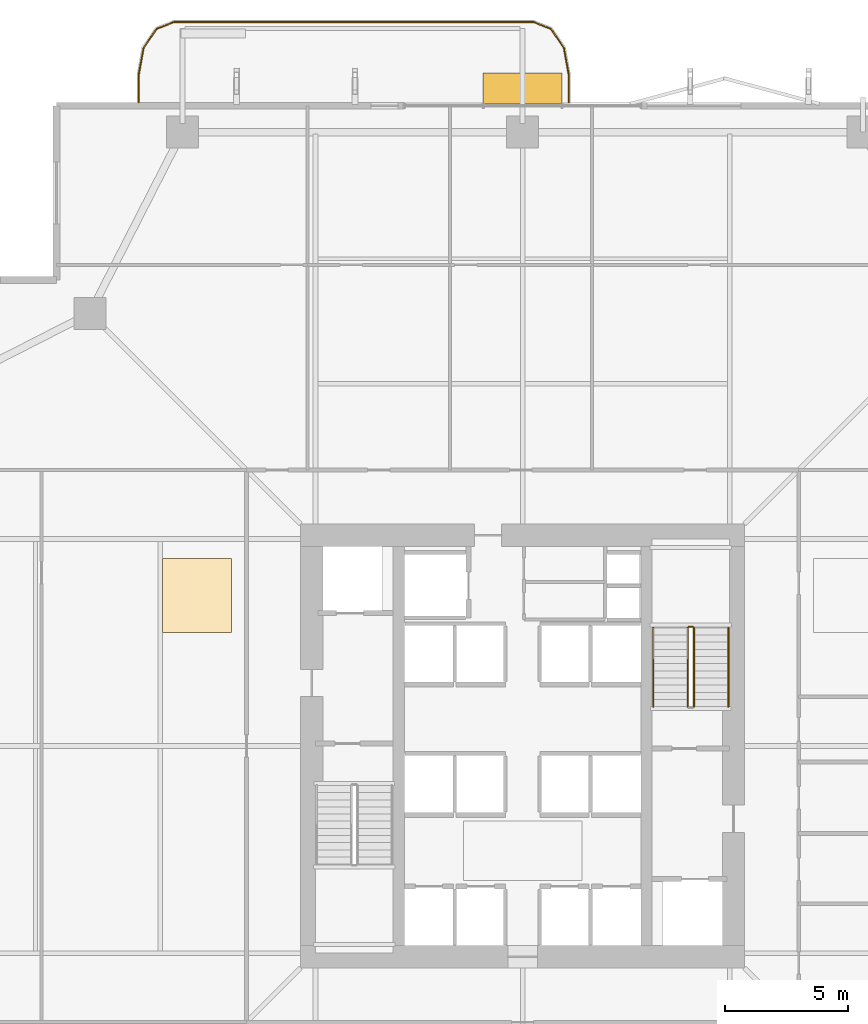
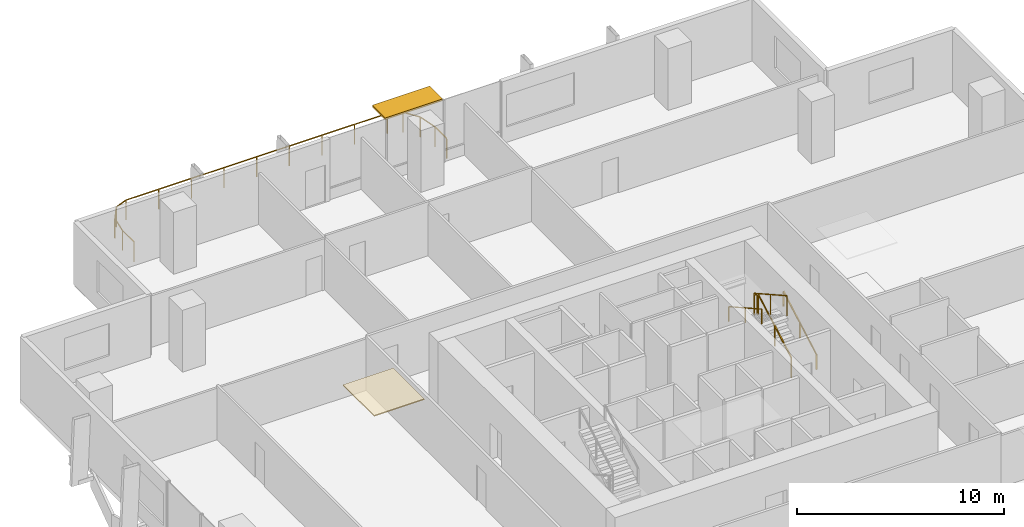
# One storey, part 23 of 24: 6 railings, 1 covering, 1 shading device.
"""IFC4 building model written with IfcOpenShell, lengths in metres."""

from ifc_helpers import new_model, si_unit, direction, frame, origin, origin_2d, place, context, subcontext, project, spatial, polyline, rectangle, outline, extrude, material, layer, layer_set, type_object, element, save


model = new_model("IFC4")

# Units and contexts
model_context = context("Model", 3, precision=1e-05, world=origin(), true_north=direction((0.0, 1.0)))
body_context = subcontext(model_context, "Body", "Model", "MODEL_VIEW")
ifc_project = project(units=[si_unit("LENGTHUNIT", "METRE"), si_unit("AREAUNIT", "SQUARE_METRE"), si_unit("VOLUMEUNIT", "CUBIC_METRE"), si_unit("PLANEANGLEUNIT", "RADIAN"), si_unit("MASSUNIT", "GRAM", prefix="KILO")], contexts=[model_context])

# Site, building, storey
site_placement = place(None, origin())
site = spatial("IfcSite", under=ifc_project, at=site_placement, CompositionType="ELEMENT")
building_placement = place(site_placement, origin())
building = spatial("IfcBuilding", under=site, at=building_placement, Name="Belovzor Exchange Tower", CompositionType="ELEMENT")
storey_placement = place(building_placement, frame((0.0, 0.0, 117.300048828125)))
storey = spatial("IfcBuildingStorey", under=building, at=storey_placement, Name="L28", CompositionType="ELEMENT", Elevation=117.300048828125)

# Railings
ifc_material_1 = material(Name="Stainless Steel Grade 304", Category="steel")
railing_type_1 = type_object("IfcRailingType", Name="Brushed Stainless Steel Stair Handrail 900", PredefinedType="HANDRAIL", material=ifc_material_1)
railing_1_placement = place(storey_placement, frame((37.14990234375, 30.39990234375, 0.162353515625)))
element("IfcRailing", 1, at=railing_1_placement, inside=storey, type_object=railing_type_1, Name="L28 ST-2 stair handrail 1", PredefinedType="HANDRAIL", context=body_context, shape_type="SweptSolid", body=[
    extrude(rectangle(XDim=0.048095703125, YDim=0.048095703125, at=origin_2d()), frame((0.0, 0.0, 0.8759765625), z_axis=(0.0, 0.87237847985, 0.488831042279), x_axis=(-1.0, 0.0, 0.0)), (0.0, 0.0, 1.0), 3.656982421875),
    extrude(rectangle(XDim=0.0419921875, YDim=0.0419921875, at=origin_2d()), origin(), (0.0, 0.0, 1.0), 0.851806640625),
    extrude(rectangle(XDim=0.0419921875, YDim=0.0419921875, at=origin_2d()), frame((0.0, 1.59521484375, 0.893798828125)), (0.0, 0.0, 1.0), 0.851806640625),
    extrude(rectangle(XDim=0.0419921875, YDim=0.0419921875, at=origin_2d()), frame((0.0, 3.190185546875, 1.78759765625)), (0.0, 0.0, 1.0), 0.851806640625),
])
railing_2_placement = place(storey_placement, frame((34.10009765625, 33.590087890625, 2.112548828125)))
element("IfcRailing", 2, at=railing_2_placement, inside=storey, type_object=railing_type_1, Name="L28 ST-2 stair handrail 2", PredefinedType="HANDRAIL", context=body_context, shape_type="SweptSolid", body=[
    extrude(rectangle(XDim=0.048095703125, YDim=0.048095703125, at=origin_2d()), frame((0.0, 0.0, 0.8759765625), z_axis=(0.0, -0.872406949647, 0.488780230991), x_axis=(1.0, 0.0, 0.0)), (0.0, 0.0, 1.0), 3.65673828125),
    extrude(rectangle(XDim=0.0419921875, YDim=0.0419921875, at=origin_2d()), origin(), (0.0, 0.0, 1.0), 0.851806640625),
    extrude(rectangle(XDim=0.0419921875, YDim=0.0419921875, at=origin_2d()), frame((0.0, -1.59521484375, 0.8935546875)), (0.0, 0.0, 1.0), 0.851806640625),
    extrude(rectangle(XDim=0.0419921875, YDim=0.0419921875, at=origin_2d()), frame((0.0, -3.190185546875, 1.787353515625)), (0.0, 0.0, 1.0), 0.851806640625),
])
ifc_material_2 = material(Name="Stainless Steel and Laminated Safety Glass", Category="steel")
railing_type_2 = type_object("IfcRailingType", Name="Laminated Glass & Stainless Steel Balcony Balustrade 1200", PredefinedType="BALUSTRADE", material=ifc_material_2)
railing_3_placement = place(storey_placement, frame((30.669921875, 54.909912109375, 0.0)))
element("IfcRailing", 3, at=railing_3_placement, inside=storey, type_object=railing_type_2, Name="GR-1 Balcony Balustrade L28 North", PredefinedType="BALUSTRADE", context=body_context, shape_type="SweptSolid", body=[
    extrude(rectangle(XDim=0.048095703125, YDim=0.048095703125, at=origin_2d()), frame((0.0, 0.0, 1.17578125), z_axis=(0.0, 1.0, 0.0), x_axis=(-1.0, 0.0, 0.0)), (0.0, 0.0, 1.0), 1.133056640625),
    extrude(rectangle(XDim=0.048095703125, YDim=0.048095703125, at=origin_2d()), frame((0.0, 1.133056640625, 1.17578125), z_axis=(-0.180122719713, 0.983644145941, 0.0), x_axis=(-0.983644145941, -0.180122719713, 0.0)), (0.0, 0.0, 1.0), 1.09375),
    extrude(rectangle(XDim=0.048095703125, YDim=0.048095703125, at=origin_2d()), frame((-0.197021484375, 2.208984375, 1.17578125), z_axis=(-0.562768145367, 0.826614792125, 0.0), x_axis=(-0.826614792125, -0.562768145367, 0.0)), (0.0, 0.0, 1.0), 0.9326171875),
    extrude(rectangle(XDim=0.048095703125, YDim=0.048095703125, at=origin_2d()), frame((-0.721923828125, 2.97998046875, 1.17578125), z_axis=(-0.930766990125, 0.365612923861, 0.0), x_axis=(-0.365612923861, -0.930766990125, 0.0)), (0.0, 0.0, 1.0), 0.765869140625),
    extrude(rectangle(XDim=0.048095703125, YDim=0.048095703125, at=origin_2d()), frame((-1.434814453125, 3.260009765625, 1.17578125), z_axis=(-1.0, 0.0, 0.0), x_axis=(0.0, -1.0, 0.0)), (0.0, 0.0, 1.0), 14.570068359375),
    extrude(rectangle(XDim=0.048095703125, YDim=0.048095703125, at=origin_2d()), frame((-16.0048828125, 3.260009765625, 1.17578125), z_axis=(-0.930809580156, -0.365504480807, 0.0), x_axis=(0.365504480807, -0.930809580156, 0.0)), (0.0, 0.0, 1.0), 0.76611328125),
    extrude(rectangle(XDim=0.048095703125, YDim=0.048095703125, at=origin_2d()), frame((-16.718017578125, 2.97998046875, 1.17578125), z_axis=(-0.562768145367, -0.826614792125, 0.0), x_axis=(0.826614792125, -0.562768145367, 0.0)), (0.0, 0.0, 1.0), 0.9326171875),
    extrude(rectangle(XDim=0.048095703125, YDim=0.048095703125, at=origin_2d()), frame((-17.242919921875, 2.208984375, 1.17578125), z_axis=(-0.180122719713, -0.983644145941, 0.0), x_axis=(0.983644145941, -0.180122719713, 0.0)), (0.0, 0.0, 1.0), 1.09375),
    extrude(rectangle(XDim=0.048095703125, YDim=0.048095703125, at=origin_2d()), frame((-17.43994140625, 1.133056640625, 1.17578125), z_axis=(0.0, -1.0, 0.0), x_axis=(1.0, 0.0, 0.0)), (0.0, 0.0, 1.0), 1.133056640625),
    extrude(rectangle(XDim=0.0419921875, YDim=0.0419921875, at=origin_2d()), origin(), (0.0, 0.0, 1.0), 1.15185546875),
    extrude(rectangle(XDim=0.0419921875, YDim=0.0419921875, at=origin_2d()), frame((0.0, 1.133056640625, 0.0)), (0.0, 0.0, 1.0), 1.15185546875),
    extrude(rectangle(XDim=0.0419921875, YDim=0.0419921875, at=origin_2d()), frame((-0.197021484375, 2.208984375, 0.0)), (0.0, 0.0, 1.0), 1.15185546875),
    extrude(rectangle(XDim=0.0419921875, YDim=0.0419921875, at=origin_2d()), frame((-0.721923828125, 2.97998046875, 0.0)), (0.0, 0.0, 1.0), 1.15185546875),
    extrude(rectangle(XDim=0.0419921875, YDim=0.0419921875, at=origin_2d()), frame((-1.434814453125, 3.260009765625, 0.0)), (0.0, 0.0, 1.0), 1.15185546875),
    extrude(rectangle(XDim=0.0419921875, YDim=0.0419921875, at=origin_2d()), frame((-3.256103515625, 3.260009765625, 0.0)), (0.0, 0.0, 1.0), 1.15185546875),
    extrude(rectangle(XDim=0.0419921875, YDim=0.0419921875, at=origin_2d()), frame((-5.077392578125, 3.260009765625, 0.0)), (0.0, 0.0, 1.0), 1.15185546875),
    extrude(rectangle(XDim=0.0419921875, YDim=0.0419921875, at=origin_2d()), frame((-6.898681640625, 3.260009765625, 0.0)), (0.0, 0.0, 1.0), 1.15185546875),
    extrude(rectangle(XDim=0.0419921875, YDim=0.0419921875, at=origin_2d()), frame((-8.7197265625, 3.260009765625, 0.0)), (0.0, 0.0, 1.0), 1.15185546875),
    extrude(rectangle(XDim=0.0419921875, YDim=0.0419921875, at=origin_2d()), frame((-10.541015625, 3.260009765625, 0.0)), (0.0, 0.0, 1.0), 1.15185546875),
    extrude(rectangle(XDim=0.0419921875, YDim=0.0419921875, at=origin_2d()), frame((-12.3623046875, 3.260009765625, 0.0)), (0.0, 0.0, 1.0), 1.15185546875),
    extrude(rectangle(XDim=0.0419921875, YDim=0.0419921875, at=origin_2d()), frame((-14.18359375, 3.260009765625, 0.0)), (0.0, 0.0, 1.0), 1.15185546875),
    extrude(rectangle(XDim=0.0419921875, YDim=0.0419921875, at=origin_2d()), frame((-16.0048828125, 3.260009765625, 0.0)), (0.0, 0.0, 1.0), 1.15185546875),
    extrude(rectangle(XDim=0.0419921875, YDim=0.0419921875, at=origin_2d()), frame((-16.718017578125, 2.97998046875, 0.0)), (0.0, 0.0, 1.0), 1.15185546875),
    extrude(rectangle(XDim=0.0419921875, YDim=0.0419921875, at=origin_2d()), frame((-17.242919921875, 2.208984375, 0.0)), (0.0, 0.0, 1.0), 1.15185546875),
    extrude(rectangle(XDim=0.0419921875, YDim=0.0419921875, at=origin_2d()), frame((-17.43994140625, 1.133056640625, 0.0)), (0.0, 0.0, 1.0), 1.15185546875),
    extrude(rectangle(XDim=0.0419921875, YDim=0.0419921875, at=origin_2d()), frame((-17.43994140625, 0.0, 0.0)), (0.0, 0.0, 1.0), 1.15185546875),
])
ifc_material_3 = material(Name="Steel S355", Category="steel")
railing_type_3 = type_object("IfcRailingType", Name="Painted Steel Stairwell Guardrail 1200", PredefinedType="GUARDRAIL", material=ifc_material_3)
railing_4_placement = place(storey_placement, frame((35.75, 30.39990234375, 0.162353515625)))
element("IfcRailing", 4, at=railing_4_placement, inside=storey, type_object=railing_type_3, Name="L28 ST-2 stair guard 1", PredefinedType="GUARDRAIL", context=body_context, shape_type="SweptSolid", body=[
    extrude(rectangle(XDim=0.048095703125, YDim=0.048095703125, at=origin_2d()), frame((0.0, 0.0, 1.17578125), z_axis=(0.0, 0.87237847985, 0.488831042279), x_axis=(-1.0, 0.0, 0.0)), (0.0, 0.0, 1.0), 3.656982421875),
    extrude(rectangle(XDim=0.0419921875, YDim=0.0419921875, at=origin_2d()), origin(), (0.0, 0.0, 1.0), 1.15185546875),
    extrude(rectangle(XDim=0.0419921875, YDim=0.0419921875, at=origin_2d()), frame((0.0, 1.59521484375, 0.893798828125)), (0.0, 0.0, 1.0), 1.15185546875),
    extrude(rectangle(XDim=0.0419921875, YDim=0.0419921875, at=origin_2d()), frame((0.0, 3.190185546875, 1.78759765625)), (0.0, 0.0, 1.0), 1.15185546875),
])
railing_5_placement = place(storey_placement, frame((35.699951171875, 33.639892578125, 1.949951171875)))
element("IfcRailing", 5, at=railing_5_placement, inside=storey, type_object=railing_type_3, Name="L28 ST-2 stair guard 2", PredefinedType="GUARDRAIL", context=body_context, shape_type="SweptSolid", body=[
    extrude(rectangle(XDim=0.048095703125, YDim=0.048095703125, at=origin_2d()), frame((0.0, 0.0, 1.17578125), z_axis=(-1.0, 0.0, 0.0), x_axis=(0.0, -1.0, 0.0)), (0.0, 0.0, 1.0), 0.14990234375),
    extrude(rectangle(XDim=0.0419921875, YDim=0.0419921875, at=origin_2d()), origin(), (0.0, 0.0, 1.0), 1.15185546875),
    extrude(rectangle(XDim=0.0419921875, YDim=0.0419921875, at=origin_2d()), frame((-0.14990234375, 0.0, 0.0)), (0.0, 0.0, 1.0), 1.15185546875),
])
railing_6_placement = place(storey_placement, frame((35.5, 33.590087890625, 2.112548828125)))
element("IfcRailing", 6, at=railing_6_placement, inside=storey, type_object=railing_type_3, Name="L28 ST-2 stair guard 3", PredefinedType="GUARDRAIL", context=body_context, shape_type="SweptSolid", body=[
    extrude(rectangle(XDim=0.048095703125, YDim=0.048095703125, at=origin_2d()), frame((0.0, 0.0, 1.17578125), z_axis=(0.0, -0.872406949647, 0.488780230991), x_axis=(1.0, 0.0, 0.0)), (0.0, 0.0, 1.0), 3.65673828125),
    extrude(rectangle(XDim=0.0419921875, YDim=0.0419921875, at=origin_2d()), origin(), (0.0, 0.0, 1.0), 1.15185546875),
    extrude(rectangle(XDim=0.0419921875, YDim=0.0419921875, at=origin_2d()), frame((0.0, -1.59521484375, 0.8935546875)), (0.0, 0.0, 1.0), 1.15185546875),
    extrude(rectangle(XDim=0.0419921875, YDim=0.0419921875, at=origin_2d()), frame((0.0, -3.190185546875, 1.787353515625)), (0.0, 0.0, 1.0), 1.15185546875),
])

# Covering
ifc_material_4 = material(Name="Perforated Powder-Coated Aluminium", Category="aluminium")
ifc_layer_1 = layer(ifc_material_4, 0.06005859375)
ifc_layer_set_1 = layer_set([ifc_layer_1], Name="Perforated Powder-Coated Aluminium")
covering_type = type_object("IfcCoveringType", Name="Perforated Acoustic Metal Tile Suspended Ceiling 60", PredefinedType="CEILING", material=ifc_layer_set_1)
covering_placement = place(storey_placement, frame((0.0, 0.0, 3.58984375)))
element("IfcCovering", 7, at=covering_placement, inside=storey, type_object=covering_type, Name="CLG-AC60 Suspended Ceiling CLG-L28-Z3", PredefinedType="CEILING", context=body_context, shape_type="SweptSolid", body=[
    extrude(outline(polyline([(14.199951171875, 33.39990234375), (17.0, 33.39990234375), (17.0, 36.39990234375), (14.199951171875, 36.39990234375), (14.199951171875, 33.39990234375)])), origin(), (0.0, 0.0, 1.0), 0.06005859375),
])

# Shading device
ifc_material_5 = material(Name="Extruded Architectural Terracotta", Category="masonry")
ifc_layer_2 = layer(ifc_material_5, 0.1201171875)
ifc_layer_set_2 = layer_set([ifc_layer_2], Name="Extruded Architectural Terracotta")
shading_device_type = type_object("IfcShadingDeviceType", Name="Streamline Terracotta Horizontal Sunshade Hood 1250", PredefinedType="AWNING", material=ifc_layer_set_2)
shading_device_placement = place(storey_placement, frame((28.800048828125, 55.465087890625, 3.52978515625), z_axis=(0.0, 0.0, 1.0), x_axis=(1.0, 0.0, 0.0)))
element("IfcShadingDevice", 8, at=shading_device_placement, inside=storey, type_object=shading_device_type, Name="SHD-TC125 Terracotta Sunshade L28 N", PredefinedType="AWNING", context=body_context, shape_type="SweptSolid", body=[
    extrude(rectangle(XDim=3.199951171875, YDim=1.25, at=origin_2d()), origin(), (0.0, 0.0, 1.0), 0.1201171875),
])

save(model, "model.ifc")
